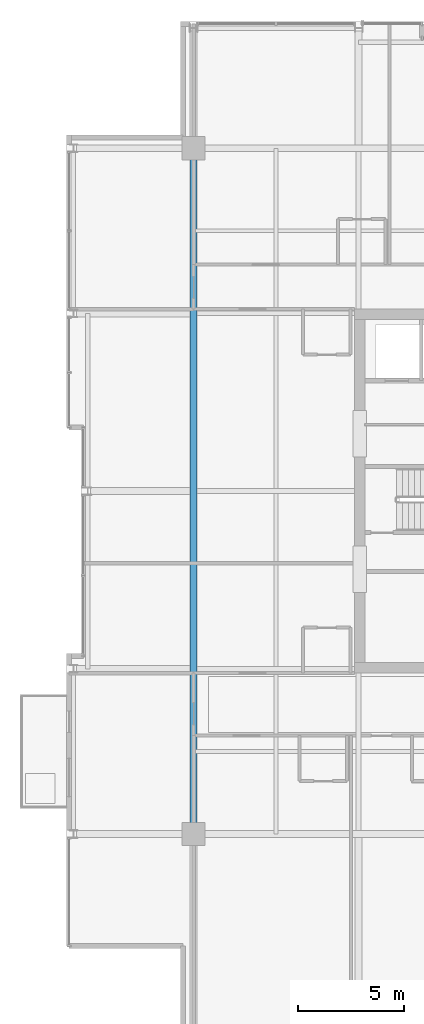
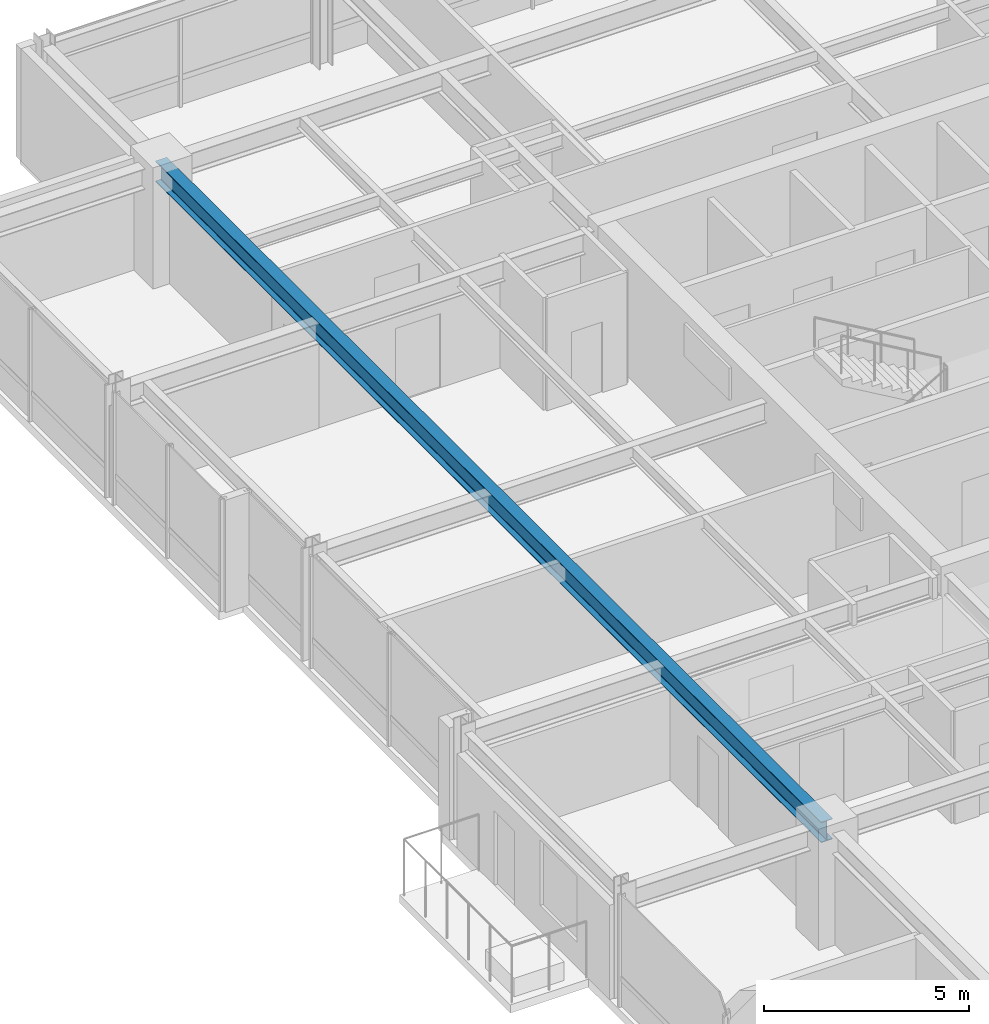
# One storey, part 9 of 31: 1 beam.
"""IFC4 building model written with IfcOpenShell, lengths in metres."""

from ifc_helpers import new_model, si_unit, direction, frame, origin, origin_2d, place, context, subcontext, project, spatial, i_section, extrude, material, material_profile, profile_set, type_object, element, save


model = new_model("IFC4")

# Units and contexts
model_context = context("Model", 3, precision=1e-05, world=origin(), true_north=direction((0.0, 1.0)))
body_context = subcontext(model_context, "Body", "Model", "MODEL_VIEW")
ifc_project = project(units=[si_unit("LENGTHUNIT", "METRE"), si_unit("AREAUNIT", "SQUARE_METRE"), si_unit("VOLUMEUNIT", "CUBIC_METRE"), si_unit("PLANEANGLEUNIT", "RADIAN"), si_unit("MASSUNIT", "GRAM", prefix="KILO")], contexts=[model_context])

# Site, building, storey
site_placement = place(None, origin())
site = spatial("IfcSite", under=ifc_project, at=site_placement, CompositionType="ELEMENT")
building_placement = place(site_placement, origin())
building = spatial("IfcBuilding", under=site, at=building_placement, Name="Drelvath Grand Hotel", CompositionType="ELEMENT")
storey_placement = place(building_placement, frame((0.0, 0.0, 230.300048828125)))
storey = spatial("IfcBuildingStorey", under=building, at=storey_placement, Name="L60", CompositionType="ELEMENT", Elevation=230.300048828125)

# Beam
ifc_material = material(Name="Steel ASTM A992 Gr 50", Category="steel")
ifc_material_profile = material_profile(ifc_material, i_section(OverallWidth=0.323974609375, OverallDepth=0.611083984375, WebThickness=0.0126953125, FlangeThickness=0.01904296875, FilletRadius=0.02197265625, at=origin_2d()), Name="W24X104")
ifc_profile_set = profile_set([ifc_material_profile], Name="Steel ASTM A992 Gr 50")
beam_type = type_object("IfcBeamType", Name="Primary Floor Girder W24X104", PredefinedType="BEAM", material=ifc_profile_set)
beam_placement = place(storey_placement, frame((-16.199951171875, 10.800048828125, 3.034423828125), z_axis=(0.0, 1.0, 0.0), x_axis=(-1.0, 0.0, 0.0)))
element("IfcBeam", 1, at=beam_placement, inside=storey, type_object=beam_type, Name="L60 Mega Ring Girder West", PredefinedType="BEAM", context=body_context, shape_type="SweptSolid", body=[
    extrude(i_section(OverallWidth=0.323974609375, OverallDepth=0.611083984375, WebThickness=0.0126953125, FlangeThickness=0.01904296875, FilletRadius=0.02197265625, at=origin_2d()), origin(), (0.0, 0.0, 1.0), 32.39990234375),
])

save(model, "model.ifc")
